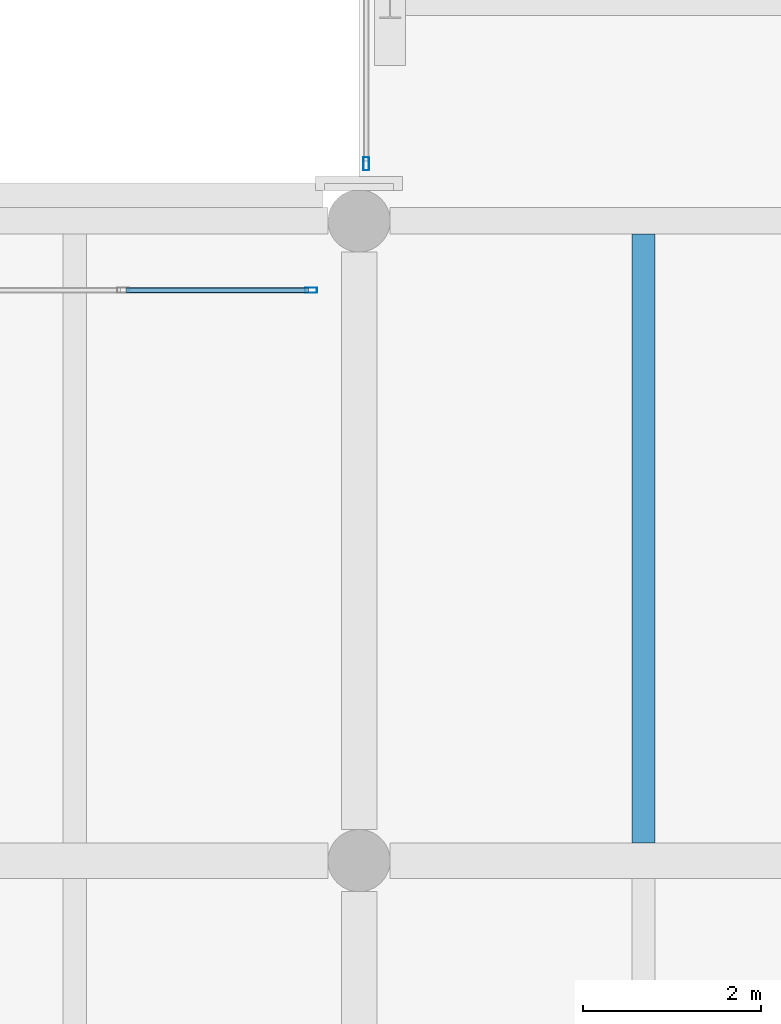
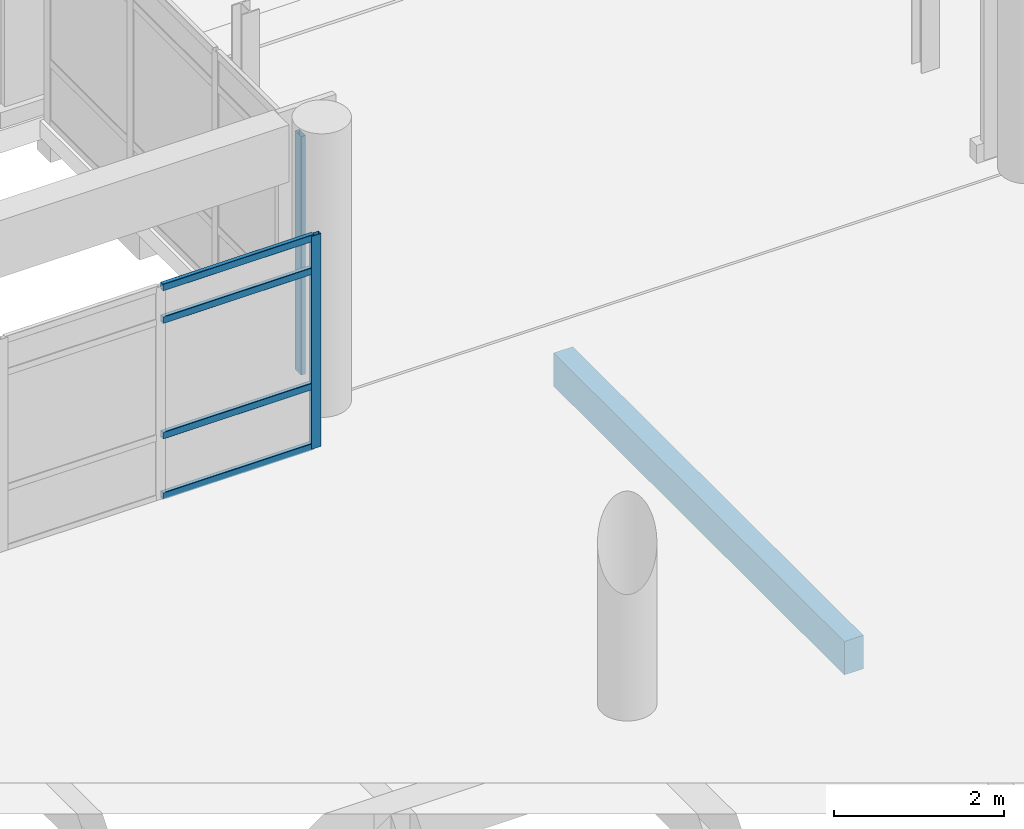
# One storey, part 42 of 180: 6 members, 1 beam, 2 elements without a shape of their own.
"""IFC4 building model written with IfcOpenShell, lengths in metres."""

from ifc_helpers import new_model, si_unit, direction, frame, origin, origin_2d, place, context, subcontext, project, spatial, rectangle, hollow_rectangle, extrude, material, layer, layer_set, material_profile, profile_set, type_object, element, aggregate, save


model = new_model("IFC4")

# Units and contexts
model_context = context("Model", 3, precision=1e-05, world=origin(), true_north=direction((0.0, 1.0)))
body_context = subcontext(model_context, "Body", "Model", "MODEL_VIEW")
ifc_project = project(units=[si_unit("LENGTHUNIT", "METRE"), si_unit("AREAUNIT", "SQUARE_METRE"), si_unit("VOLUMEUNIT", "CUBIC_METRE"), si_unit("PLANEANGLEUNIT", "RADIAN"), si_unit("MASSUNIT", "GRAM", prefix="KILO")], contexts=[model_context])

# Site, building, storey
site_placement = place(None, origin())
site = spatial("IfcSite", under=ifc_project, at=site_placement, CompositionType="ELEMENT")
building_placement = place(site_placement, origin())
building = spatial("IfcBuilding", under=site, at=building_placement, Name="Asteropetra Specialist Clinic", CompositionType="ELEMENT")
storey_placement = place(building_placement, frame((0.0, 0.0, 4.419921875)))
storey = spatial("IfcBuildingStorey", under=building, at=storey_placement, Name="L01", CompositionType="ELEMENT", Elevation=4.419921875)

# Curtain wall, member
ifc_material_1 = material(Name="Aluminium and low-E glass", Category="aluminium")
ifc_layer_1 = layer(ifc_material_1, 0.135009765625)
ifc_layer_set_1 = layer_set([ifc_layer_1], Name="Aluminium and low-E glass")
curtain_wall_type_1 = type_object("IfcCurtainWallType", Name="CW-SYS-09", PredefinedType="USERDEFINED", material=ifc_layer_set_1)
curtain_wall_1_placement = place(storey_placement, origin())
curtain_wall_1 = element("IfcCurtainWall", 1, at=curtain_wall_1_placement, inside=storey, type_object=curtain_wall_type_1, Name="Curtain Wall CW-155", ObjectType="STICK GLAZED COLONNADE", PredefinedType="USERDEFINED")
ifc_material_2 = material(Name="Aluminium 6063-T6", Category="aluminium")
ifc_material_profile_1 = material_profile(ifc_material_2, hollow_rectangle(XDim=0.06005859375, YDim=0.135009765625, WallThickness=0.00341796875, InnerFilletRadius=0.00341796875, OuterFilletRadius=0.007080078125, at=origin_2d()), Name="MUL 135x60x3.5")
ifc_profile_set_1 = profile_set([ifc_material_profile_1], Name="Aluminium 6063-T6")
member_type_1 = type_object("IfcMemberType", Name="CWM-135x60", PredefinedType="MULLION", material=ifc_profile_set_1)
member_1_placement = place(storey_placement, frame((9.06005859375, 61.6201171875, 0.0), z_axis=(0.0, 0.0, 1.0), x_axis=(0.0, -1.0, 0.0)))
member_1 = element("IfcMember", 2, at=member_1_placement, type_object=member_type_1, Name="CW-155 mullion 1", PredefinedType="MULLION", context=body_context, shape_type="SweptSolid", body=[
    extrude(hollow_rectangle(XDim=0.06005859375, YDim=0.135009765625, WallThickness=0.00341796875, InnerFilletRadius=0.00341796875, OuterFilletRadius=0.007080078125, at=origin_2d()), origin(), (0.0, 0.0, 1.0), 3.06005859375),
])

ifc_material_3 = material(Name="Aluminium and low-E glass", Category="aluminium")
ifc_layer_2 = layer(ifc_material_3, 0.14990234375)
ifc_layer_set_2 = layer_set([ifc_layer_2], Name="Aluminium and low-E glass")
curtain_wall_type_2 = type_object("IfcCurtainWallType", Name="CW-SYS-08", PredefinedType="USERDEFINED", material=ifc_layer_set_2)
curtain_wall_2_placement = place(storey_placement, origin())
curtain_wall_2 = element("IfcCurtainWall", 3, at=curtain_wall_2_placement, inside=storey, type_object=curtain_wall_type_2, Name="Curtain Wall CW-103", ObjectType="STICK GLAZED COLONNADE", PredefinedType="USERDEFINED")
ifc_material_4 = material(Name="Aluminium 6063-T6", Category="aluminium")
ifc_material_profile_2 = material_profile(ifc_material_4, hollow_rectangle(XDim=0.06494140625, YDim=0.14990234375, WallThickness=0.00390625, InnerFilletRadius=0.00390625, OuterFilletRadius=0.008056640625, at=origin_2d()), Name="MUL 150x65x4.0")
ifc_profile_set_2 = profile_set([ifc_material_profile_2], Name="Aluminium 6063-T6")
member_type_2 = type_object("IfcMemberType", Name="CWM-150x65", PredefinedType="MULLION", material=ifc_profile_set_2)
member_2_placement = place(storey_placement, frame((9.679931640625, 63.04248046875, 0.0), z_axis=(0.0, 0.0, 1.0), x_axis=(-1.0, 0.0, 0.0)))
member_2 = element("IfcMember", 4, at=member_2_placement, type_object=member_type_2, Name="CW-103 mullion 1", PredefinedType="MULLION", context=body_context, shape_type="SweptSolid", body=[
    extrude(hollow_rectangle(XDim=0.06494140625, YDim=0.14990234375, WallThickness=0.00390625, InnerFilletRadius=0.00390625, OuterFilletRadius=0.008056640625, at=origin_2d()), origin(), (0.0, 0.0, 1.0), 3.43017578125),
])
aggregate(curtain_wall_2, [member_2])

# Member
ifc_material_5 = material(Name="Aluminium 6063-T6", Category="aluminium")
ifc_material_profile_3 = material_profile(ifc_material_5, hollow_rectangle(XDim=0.06005859375, YDim=0.10009765625, WallThickness=0.00341796875, InnerFilletRadius=0.00341796875, OuterFilletRadius=0.007080078125, at=origin_2d()), Name="TRN 100x60x3.5")
ifc_profile_set_3 = profile_set([ifc_material_profile_3], Name="Aluminium 6063-T6")
member_type_3 = type_object("IfcMemberType", Name="CWT-100x60", PredefinedType="USERDEFINED", material=ifc_profile_set_3)
member_3_placement = place(storey_placement, frame((9.030029296875, 61.6201171875, 0.030029296875), z_axis=(-1.0, 0.0, 0.0), x_axis=(0.0, -1.0, 0.0)))
member_3 = element("IfcMember", 5, at=member_3_placement, type_object=member_type_3, Name="CW-155 transom 1.1", ObjectType="TRANSOM", PredefinedType="USERDEFINED", context=body_context, shape_type="SweptSolid", body=[
    extrude(hollow_rectangle(XDim=0.06005859375, YDim=0.10009765625, WallThickness=0.00341796875, InnerFilletRadius=0.00341796875, OuterFilletRadius=0.007080078125, at=origin_2d()), origin(), (0.0, 0.0, 1.0), 2.054931640625),
])

member_4_placement = place(storey_placement, frame((9.030029296875, 61.6201171875, 0.900146484375), z_axis=(-1.0, 0.0, 0.0), x_axis=(0.0, -1.0, 0.0)))
member_4 = element("IfcMember", 6, at=member_4_placement, type_object=member_type_3, Name="CW-155 transom 1.2", ObjectType="TRANSOM", PredefinedType="USERDEFINED", context=body_context, shape_type="SweptSolid", body=[
    extrude(hollow_rectangle(XDim=0.06005859375, YDim=0.10009765625, WallThickness=0.00341796875, InnerFilletRadius=0.00341796875, OuterFilletRadius=0.007080078125, at=origin_2d()), origin(), (0.0, 0.0, 1.0), 2.054931640625),
])

member_5_placement = place(storey_placement, frame((9.030029296875, 61.6201171875, 2.56005859375), z_axis=(-1.0, 0.0, 0.0), x_axis=(0.0, -1.0, 0.0)))
member_5 = element("IfcMember", 7, at=member_5_placement, type_object=member_type_3, Name="CW-155 transom 1.3", ObjectType="TRANSOM", PredefinedType="USERDEFINED", context=body_context, shape_type="SweptSolid", body=[
    extrude(hollow_rectangle(XDim=0.06005859375, YDim=0.10009765625, WallThickness=0.00341796875, InnerFilletRadius=0.00341796875, OuterFilletRadius=0.007080078125, at=origin_2d()), origin(), (0.0, 0.0, 1.0), 2.054931640625),
])

member_6_placement = place(storey_placement, frame((9.030029296875, 61.6201171875, 3.030029296875), z_axis=(-1.0, 0.0, 0.0), x_axis=(0.0, -1.0, 0.0)))
member_6 = element("IfcMember", 8, at=member_6_placement, type_object=member_type_3, Name="CW-155 transom 1.4", ObjectType="TRANSOM", PredefinedType="USERDEFINED", context=body_context, shape_type="SweptSolid", body=[
    extrude(hollow_rectangle(XDim=0.06005859375, YDim=0.10009765625, WallThickness=0.00341796875, InnerFilletRadius=0.00341796875, OuterFilletRadius=0.007080078125, at=origin_2d()), origin(), (0.0, 0.0, 1.0), 2.054931640625),
])

aggregate(curtain_wall_1, [member_1, member_3, member_4, member_5, member_6])

# Beam
ifc_material_6 = material(Name="Concrete C35/45", Category="concrete")
ifc_material_profile_4 = material_profile(ifc_material_6, rectangle(XDim=0.260009765625, YDim=0.47998046875, at=origin_2d()), Name="RCJ 260x480")
ifc_profile_set_4 = profile_set([ifc_material_profile_4], Name="Concrete C35/45")
beam_type = type_object("IfcBeamType", Name="JST-RC260x480", PredefinedType="JOIST", material=ifc_profile_set_4)
beam_placement = place(storey_placement, frame((12.800048828125, 55.39990234375, -0.5400390625), z_axis=(0.0, 1.0, 0.0), x_axis=(-1.0, 0.0, 0.0)))
element("IfcBeam", 9, at=beam_placement, inside=storey, type_object=beam_type, Name="Joist JJST02-0388", PredefinedType="JOIST", context=body_context, shape_type="SweptSolid", body=[
    extrude(rectangle(XDim=0.260009765625, YDim=0.47998046875, at=origin_2d()), origin(), (0.0, 0.0, 1.0), 6.85009765625),
])

save(model, "model.ifc")
